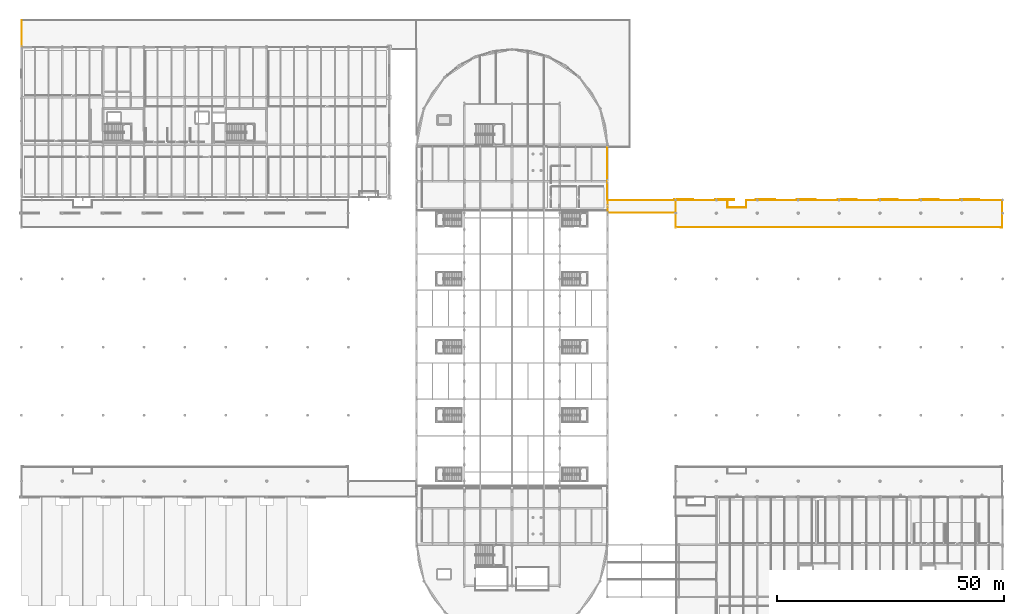
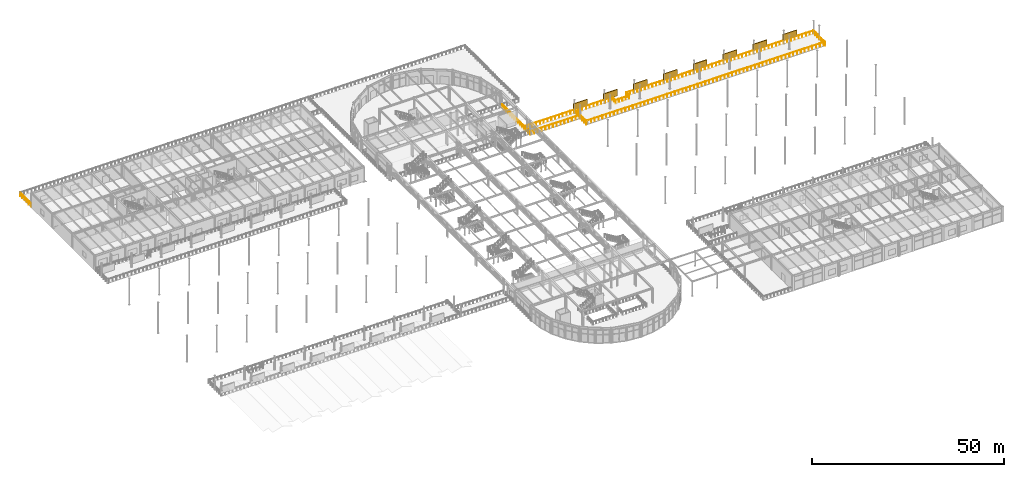
# One storey, part 139 of 143: 8 shading devices, 6 railings.
"""IFC4 building model written with IfcOpenShell, lengths in metres."""

from ifc_helpers import new_model, si_unit, direction, frame, origin, origin_2d, place, context, subcontext, project, spatial, rectangle, circle, extrude, material, type_object, element, save


model = new_model("IFC4")

# Units and contexts
model_context = context("Model", 3, precision=1e-05, world=origin(), true_north=direction((0.0, 1.0)))
body_context = subcontext(model_context, "Body", "Model", "MODEL_VIEW")
ifc_project = project(units=[si_unit("LENGTHUNIT", "METRE"), si_unit("AREAUNIT", "SQUARE_METRE"), si_unit("VOLUMEUNIT", "CUBIC_METRE"), si_unit("PLANEANGLEUNIT", "RADIAN"), si_unit("MASSUNIT", "GRAM", prefix="KILO")], contexts=[model_context])

# Site, building, storey
site_placement = place(None, origin())
site = spatial("IfcSite", under=ifc_project, at=site_placement, CompositionType="ELEMENT")
building_placement = place(site_placement, origin())
building = spatial("IfcBuilding", under=site, at=building_placement, Name="Marlcrest Central Station", CompositionType="ELEMENT")
storey_placement = place(building_placement, frame((0.0, 0.0, 4.800048828125)))
storey = spatial("IfcBuildingStorey", under=building, at=storey_placement, Name="L01", CompositionType="ELEMENT", Elevation=4.800048828125)

# Railings
ifc_material_1 = material(Name="Stainless steel and laminated glass concourse balustrade", Category="steel")
railing_type = type_object("IfcRailingType", Name="GR-02", PredefinedType="BALUSTRADE", material=ifc_material_1)
railing_1_placement = place(storey_placement, frame((144.39990234375, 92.39990234375, 0.0)))
element("IfcRailing", 1, at=railing_1_placement, inside=storey, type_object=railing_type, Name="grd-L01-0007", PredefinedType="BALUSTRADE", context=body_context, shape_type="SweptSolid", body=[
    extrude(circle(Radius=0.02392578125, at=origin_2d()), frame((0.0, 0.0, 1.09619140625), z_axis=(1.0, 0.0, 0.0), x_axis=(0.0, 1.0, 0.0)), (0.0, 0.0, 1.0), 71.2001953125),
    extrude(circle(Radius=0.02099609375, at=origin_2d()), origin(), (0.0, 0.0, 1.0), 1.072021484375),
    extrude(circle(Radius=0.02099609375, at=origin_2d()), frame((1.1484375, 0.0, 0.0)), (0.0, 0.0, 1.0), 1.072021484375),
    extrude(circle(Radius=0.02099609375, at=origin_2d()), frame((2.296875, 0.0, 0.0)), (0.0, 0.0, 1.0), 1.072021484375),
    extrude(circle(Radius=0.02099609375, at=origin_2d()), frame((3.445068359375, 0.0, 0.0)), (0.0, 0.0, 1.0), 1.072021484375),
    extrude(circle(Radius=0.02099609375, at=origin_2d()), frame((4.593505859375, 0.0, 0.0)), (0.0, 0.0, 1.0), 1.072021484375),
    extrude(circle(Radius=0.02099609375, at=origin_2d()), frame((5.741943359375, 0.0, 0.0)), (0.0, 0.0, 1.0), 1.072021484375),
    extrude(circle(Radius=0.02099609375, at=origin_2d()), frame((6.890380859375, 0.0, 0.0)), (0.0, 0.0, 1.0), 1.072021484375),
    extrude(circle(Radius=0.02099609375, at=origin_2d()), frame((8.038818359375, 0.0, 0.0)), (0.0, 0.0, 1.0), 1.072021484375),
    extrude(circle(Radius=0.02099609375, at=origin_2d()), frame((9.18701171875, 0.0, 0.0)), (0.0, 0.0, 1.0), 1.072021484375),
    extrude(circle(Radius=0.02099609375, at=origin_2d()), frame((10.33544921875, 0.0, 0.0)), (0.0, 0.0, 1.0), 1.072021484375),
    extrude(circle(Radius=0.02099609375, at=origin_2d()), frame((11.48388671875, 0.0, 0.0)), (0.0, 0.0, 1.0), 1.072021484375),
    extrude(circle(Radius=0.02099609375, at=origin_2d()), frame((12.63232421875, 0.0, 0.0)), (0.0, 0.0, 1.0), 1.072021484375),
    extrude(circle(Radius=0.02099609375, at=origin_2d()), frame((13.78076171875, 0.0, 0.0)), (0.0, 0.0, 1.0), 1.072021484375),
    extrude(circle(Radius=0.02099609375, at=origin_2d()), frame((14.928955078125, 0.0, 0.0)), (0.0, 0.0, 1.0), 1.072021484375),
    extrude(circle(Radius=0.02099609375, at=origin_2d()), frame((16.077392578125, 0.0, 0.0)), (0.0, 0.0, 1.0), 1.072021484375),
    extrude(circle(Radius=0.02099609375, at=origin_2d()), frame((17.225830078125, 0.0, 0.0)), (0.0, 0.0, 1.0), 1.072021484375),
    extrude(circle(Radius=0.02099609375, at=origin_2d()), frame((18.374267578125, 0.0, 0.0)), (0.0, 0.0, 1.0), 1.072021484375),
    extrude(circle(Radius=0.02099609375, at=origin_2d()), frame((19.522705078125, 0.0, 0.0)), (0.0, 0.0, 1.0), 1.072021484375),
    extrude(circle(Radius=0.02099609375, at=origin_2d()), frame((20.671142578125, 0.0, 0.0)), (0.0, 0.0, 1.0), 1.072021484375),
    extrude(circle(Radius=0.02099609375, at=origin_2d()), frame((21.8193359375, 0.0, 0.0)), (0.0, 0.0, 1.0), 1.072021484375),
    extrude(circle(Radius=0.02099609375, at=origin_2d()), frame((22.9677734375, 0.0, 0.0)), (0.0, 0.0, 1.0), 1.072021484375),
    extrude(circle(Radius=0.02099609375, at=origin_2d()), frame((24.1162109375, 0.0, 0.0)), (0.0, 0.0, 1.0), 1.072021484375),
    extrude(circle(Radius=0.02099609375, at=origin_2d()), frame((25.2646484375, 0.0, 0.0)), (0.0, 0.0, 1.0), 1.072021484375),
    extrude(circle(Radius=0.02099609375, at=origin_2d()), frame((26.4130859375, 0.0, 0.0)), (0.0, 0.0, 1.0), 1.072021484375),
    extrude(circle(Radius=0.02099609375, at=origin_2d()), frame((27.561279296875, 0.0, 0.0)), (0.0, 0.0, 1.0), 1.072021484375),
    extrude(circle(Radius=0.02099609375, at=origin_2d()), frame((28.709716796875, 0.0, 0.0)), (0.0, 0.0, 1.0), 1.072021484375),
    extrude(circle(Radius=0.02099609375, at=origin_2d()), frame((29.858154296875, 0.0, 0.0)), (0.0, 0.0, 1.0), 1.072021484375),
    extrude(circle(Radius=0.02099609375, at=origin_2d()), frame((31.006591796875, 0.0, 0.0)), (0.0, 0.0, 1.0), 1.072021484375),
    extrude(circle(Radius=0.02099609375, at=origin_2d()), frame((32.155029296875, 0.0, 0.0)), (0.0, 0.0, 1.0), 1.072021484375),
    extrude(circle(Radius=0.02099609375, at=origin_2d()), frame((33.30322265625, 0.0, 0.0)), (0.0, 0.0, 1.0), 1.072021484375),
    extrude(circle(Radius=0.02099609375, at=origin_2d()), frame((34.45166015625, 0.0, 0.0)), (0.0, 0.0, 1.0), 1.072021484375),
    extrude(circle(Radius=0.02099609375, at=origin_2d()), frame((35.60009765625, 0.0, 0.0)), (0.0, 0.0, 1.0), 1.072021484375),
    extrude(circle(Radius=0.02099609375, at=origin_2d()), frame((36.74853515625, 0.0, 0.0)), (0.0, 0.0, 1.0), 1.072021484375),
    extrude(circle(Radius=0.02099609375, at=origin_2d()), frame((37.89697265625, 0.0, 0.0)), (0.0, 0.0, 1.0), 1.072021484375),
    extrude(circle(Radius=0.02099609375, at=origin_2d()), frame((39.045166015625, 0.0, 0.0)), (0.0, 0.0, 1.0), 1.072021484375),
    extrude(circle(Radius=0.02099609375, at=origin_2d()), frame((40.193603515625, 0.0, 0.0)), (0.0, 0.0, 1.0), 1.072021484375),
    extrude(circle(Radius=0.02099609375, at=origin_2d()), frame((41.342041015625, 0.0, 0.0)), (0.0, 0.0, 1.0), 1.072021484375),
    extrude(circle(Radius=0.02099609375, at=origin_2d()), frame((42.490478515625, 0.0, 0.0)), (0.0, 0.0, 1.0), 1.072021484375),
    extrude(circle(Radius=0.02099609375, at=origin_2d()), frame((43.638916015625, 0.0, 0.0)), (0.0, 0.0, 1.0), 1.072021484375),
    extrude(circle(Radius=0.02099609375, at=origin_2d()), frame((44.787109375, 0.0, 0.0)), (0.0, 0.0, 1.0), 1.072021484375),
    extrude(circle(Radius=0.02099609375, at=origin_2d()), frame((45.935546875, 0.0, 0.0)), (0.0, 0.0, 1.0), 1.072021484375),
    extrude(circle(Radius=0.02099609375, at=origin_2d()), frame((47.083984375, 0.0, 0.0)), (0.0, 0.0, 1.0), 1.072021484375),
    extrude(circle(Radius=0.02099609375, at=origin_2d()), frame((48.232421875, 0.0, 0.0)), (0.0, 0.0, 1.0), 1.072021484375),
    extrude(circle(Radius=0.02099609375, at=origin_2d()), frame((49.380859375, 0.0, 0.0)), (0.0, 0.0, 1.0), 1.072021484375),
    extrude(circle(Radius=0.02099609375, at=origin_2d()), frame((50.529052734375, 0.0, 0.0)), (0.0, 0.0, 1.0), 1.072021484375),
    extrude(circle(Radius=0.02099609375, at=origin_2d()), frame((51.677490234375, 0.0, 0.0)), (0.0, 0.0, 1.0), 1.072021484375),
    extrude(circle(Radius=0.02099609375, at=origin_2d()), frame((52.825927734375, 0.0, 0.0)), (0.0, 0.0, 1.0), 1.072021484375),
    extrude(circle(Radius=0.02099609375, at=origin_2d()), frame((53.974365234375, 0.0, 0.0)), (0.0, 0.0, 1.0), 1.072021484375),
    extrude(circle(Radius=0.02099609375, at=origin_2d()), frame((55.122802734375, 0.0, 0.0)), (0.0, 0.0, 1.0), 1.072021484375),
    extrude(circle(Radius=0.02099609375, at=origin_2d()), frame((56.271240234375, 0.0, 0.0)), (0.0, 0.0, 1.0), 1.072021484375),
    extrude(circle(Radius=0.02099609375, at=origin_2d()), frame((57.41943359375, 0.0, 0.0)), (0.0, 0.0, 1.0), 1.072021484375),
    extrude(circle(Radius=0.02099609375, at=origin_2d()), frame((58.56787109375, 0.0, 0.0)), (0.0, 0.0, 1.0), 1.072021484375),
    extrude(circle(Radius=0.02099609375, at=origin_2d()), frame((59.71630859375, 0.0, 0.0)), (0.0, 0.0, 1.0), 1.072021484375),
    extrude(circle(Radius=0.02099609375, at=origin_2d()), frame((60.86474609375, 0.0, 0.0)), (0.0, 0.0, 1.0), 1.072021484375),
    extrude(circle(Radius=0.02099609375, at=origin_2d()), frame((62.01318359375, 0.0, 0.0)), (0.0, 0.0, 1.0), 1.072021484375),
    extrude(circle(Radius=0.02099609375, at=origin_2d()), frame((63.161376953125, 0.0, 0.0)), (0.0, 0.0, 1.0), 1.072021484375),
    extrude(circle(Radius=0.02099609375, at=origin_2d()), frame((64.309814453125, 0.0, 0.0)), (0.0, 0.0, 1.0), 1.072021484375),
    extrude(circle(Radius=0.02099609375, at=origin_2d()), frame((65.458251953125, 0.0, 0.0)), (0.0, 0.0, 1.0), 1.072021484375),
    extrude(circle(Radius=0.02099609375, at=origin_2d()), frame((66.606689453125, 0.0, 0.0)), (0.0, 0.0, 1.0), 1.072021484375),
    extrude(circle(Radius=0.02099609375, at=origin_2d()), frame((67.755126953125, 0.0, 0.0)), (0.0, 0.0, 1.0), 1.072021484375),
    extrude(circle(Radius=0.02099609375, at=origin_2d()), frame((68.9033203125, 0.0, 0.0)), (0.0, 0.0, 1.0), 1.072021484375),
    extrude(circle(Radius=0.02099609375, at=origin_2d()), frame((70.0517578125, 0.0, 0.0)), (0.0, 0.0, 1.0), 1.072021484375),
    extrude(circle(Radius=0.02099609375, at=origin_2d()), frame((71.2001953125, 0.0, 0.0)), (0.0, 0.0, 1.0), 1.072021484375),
])
railing_2_placement = place(storey_placement, frame((0.06005859375, 132.285888671875, 0.0)))
element("IfcRailing", 2, at=railing_2_placement, inside=storey, type_object=railing_type, Name="hr-L01-00366", PredefinedType="BALUSTRADE", context=body_context, shape_type="SweptSolid", body=[
    extrude(circle(Radius=0.02392578125, at=origin_2d()), frame((0.0, 0.0, 1.09619140625), z_axis=(0.0, 1.0, 0.0), x_axis=(-1.0, 0.0, 0.0)), (0.0, 0.0, 1.0), 5.654052734375),
    extrude(circle(Radius=0.02099609375, at=origin_2d()), origin(), (0.0, 0.0, 1.0), 1.072021484375),
    extrude(circle(Radius=0.02099609375, at=origin_2d()), frame((0.0, 1.130859375, 0.0)), (0.0, 0.0, 1.0), 1.072021484375),
    extrude(circle(Radius=0.02099609375, at=origin_2d()), frame((0.0, 2.26171875, 0.0)), (0.0, 0.0, 1.0), 1.072021484375),
    extrude(circle(Radius=0.02099609375, at=origin_2d()), frame((0.0, 3.392333984375, 0.0)), (0.0, 0.0, 1.0), 1.072021484375),
    extrude(circle(Radius=0.02099609375, at=origin_2d()), frame((0.0, 4.523193359375, 0.0)), (0.0, 0.0, 1.0), 1.072021484375),
    extrude(circle(Radius=0.02099609375, at=origin_2d()), frame((0.0, 5.654052734375, 0.0)), (0.0, 0.0, 1.0), 1.072021484375),
])
railing_3_placement = place(storey_placement, frame((144.06005859375, 92.260009765625, 0.0)))
element("IfcRailing", 3, at=railing_3_placement, inside=storey, type_object=railing_type, Name="hr-L01-00398", PredefinedType="BALUSTRADE", context=body_context, shape_type="SweptSolid", body=[
    extrude(circle(Radius=0.02392578125, at=origin_2d()), frame((0.0, 0.0, 1.09619140625), z_axis=(0.0, 1.0, 0.0), x_axis=(-1.0, 0.0, 0.0)), (0.0, 0.0, 1.0), 6.080078125),
    extrude(circle(Radius=0.02392578125, at=origin_2d()), frame((0.0, 6.080078125, 1.09619140625), z_axis=(1.0, 0.0, 0.0), x_axis=(0.0, 1.0, 0.0)), (0.0, 0.0, 1.0), 11.3798828125),
    extrude(circle(Radius=0.02392578125, at=origin_2d()), frame((11.3798828125, 6.080078125, 1.09619140625), z_axis=(0.0, -1.0, 0.0), x_axis=(1.0, 0.0, 0.0)), (0.0, 0.0, 1.0), 1.60009765625),
    extrude(circle(Radius=0.02392578125, at=origin_2d()), frame((11.3798828125, 4.47998046875, 1.09619140625), z_axis=(1.0, 0.0, 0.0), x_axis=(0.0, 1.0, 0.0)), (0.0, 0.0, 1.0), 4.1201171875),
    extrude(circle(Radius=0.02392578125, at=origin_2d()), frame((15.5, 4.47998046875, 1.09619140625), z_axis=(0.0, 1.0, 0.0), x_axis=(-1.0, 0.0, 0.0)), (0.0, 0.0, 1.0), 1.60009765625),
    extrude(circle(Radius=0.02392578125, at=origin_2d()), frame((15.5, 6.080078125, 1.09619140625), z_axis=(1.0, 0.0, 0.0), x_axis=(0.0, 1.0, 0.0)), (0.0, 0.0, 1.0), 56.3798828125),
    extrude(circle(Radius=0.02392578125, at=origin_2d()), frame((71.8798828125, 6.080078125, 1.09619140625), z_axis=(0.0, -1.0, 0.0), x_axis=(1.0, 0.0, 0.0)), (0.0, 0.0, 1.0), 6.080078125),
    extrude(circle(Radius=0.02392578125, at=origin_2d()), frame((71.8798828125, 0.0, 1.09619140625), z_axis=(-1.0, 0.0, 0.0), x_axis=(0.0, -1.0, 0.0)), (0.0, 0.0, 1.0), 0.33984375),
    extrude(circle(Radius=0.02099609375, at=origin_2d()), origin(), (0.0, 0.0, 1.0), 1.072021484375),
    extrude(circle(Radius=0.02099609375, at=origin_2d()), frame((0.0, 1.013427734375, 0.0)), (0.0, 0.0, 1.0), 1.072021484375),
    extrude(circle(Radius=0.02099609375, at=origin_2d()), frame((0.0, 2.026611328125, 0.0)), (0.0, 0.0, 1.0), 1.072021484375),
    extrude(circle(Radius=0.02099609375, at=origin_2d()), frame((0.0, 3.0400390625, 0.0)), (0.0, 0.0, 1.0), 1.072021484375),
    extrude(circle(Radius=0.02099609375, at=origin_2d()), frame((0.0, 4.053466796875, 0.0)), (0.0, 0.0, 1.0), 1.072021484375),
    extrude(circle(Radius=0.02099609375, at=origin_2d()), frame((0.0, 5.066650390625, 0.0)), (0.0, 0.0, 1.0), 1.072021484375),
    extrude(circle(Radius=0.02099609375, at=origin_2d()), frame((0.0, 6.080078125, 0.0)), (0.0, 0.0, 1.0), 1.072021484375),
    extrude(circle(Radius=0.02099609375, at=origin_2d()), frame((1.137939453125, 6.080078125, 0.0)), (0.0, 0.0, 1.0), 1.072021484375),
    extrude(circle(Radius=0.02099609375, at=origin_2d()), frame((2.27587890625, 6.080078125, 0.0)), (0.0, 0.0, 1.0), 1.072021484375),
    extrude(circle(Radius=0.02099609375, at=origin_2d()), frame((3.4140625, 6.080078125, 0.0)), (0.0, 0.0, 1.0), 1.072021484375),
    extrude(circle(Radius=0.02099609375, at=origin_2d()), frame((4.552001953125, 6.080078125, 0.0)), (0.0, 0.0, 1.0), 1.072021484375),
    extrude(circle(Radius=0.02099609375, at=origin_2d()), frame((5.68994140625, 6.080078125, 0.0)), (0.0, 0.0, 1.0), 1.072021484375),
    extrude(circle(Radius=0.02099609375, at=origin_2d()), frame((6.827880859375, 6.080078125, 0.0)), (0.0, 0.0, 1.0), 1.072021484375),
    extrude(circle(Radius=0.02099609375, at=origin_2d()), frame((7.9658203125, 6.080078125, 0.0)), (0.0, 0.0, 1.0), 1.072021484375),
    extrude(circle(Radius=0.02099609375, at=origin_2d()), frame((9.10400390625, 6.080078125, 0.0)), (0.0, 0.0, 1.0), 1.072021484375),
    extrude(circle(Radius=0.02099609375, at=origin_2d()), frame((10.241943359375, 6.080078125, 0.0)), (0.0, 0.0, 1.0), 1.072021484375),
    extrude(circle(Radius=0.02099609375, at=origin_2d()), frame((11.3798828125, 6.080078125, 0.0)), (0.0, 0.0, 1.0), 1.072021484375),
    extrude(circle(Radius=0.02099609375, at=origin_2d()), frame((11.3798828125, 5.280029296875, 0.0)), (0.0, 0.0, 1.0), 1.072021484375),
    extrude(circle(Radius=0.02099609375, at=origin_2d()), frame((11.3798828125, 4.47998046875, 0.0)), (0.0, 0.0, 1.0), 1.072021484375),
    extrude(circle(Radius=0.02099609375, at=origin_2d()), frame((12.409912109375, 4.47998046875, 0.0)), (0.0, 0.0, 1.0), 1.072021484375),
    extrude(circle(Radius=0.02099609375, at=origin_2d()), frame((13.43994140625, 4.47998046875, 0.0)), (0.0, 0.0, 1.0), 1.072021484375),
    extrude(circle(Radius=0.02099609375, at=origin_2d()), frame((14.469970703125, 4.47998046875, 0.0)), (0.0, 0.0, 1.0), 1.072021484375),
    extrude(circle(Radius=0.02099609375, at=origin_2d()), frame((15.5, 4.47998046875, 0.0)), (0.0, 0.0, 1.0), 1.072021484375),
    extrude(circle(Radius=0.02099609375, at=origin_2d()), frame((15.5, 5.280029296875, 0.0)), (0.0, 0.0, 1.0), 1.072021484375),
    extrude(circle(Radius=0.02099609375, at=origin_2d()), frame((15.5, 6.080078125, 0.0)), (0.0, 0.0, 1.0), 1.072021484375),
    extrude(circle(Radius=0.02099609375, at=origin_2d()), frame((16.627685546875, 6.080078125, 0.0)), (0.0, 0.0, 1.0), 1.072021484375),
    extrude(circle(Radius=0.02099609375, at=origin_2d()), frame((17.755126953125, 6.080078125, 0.0)), (0.0, 0.0, 1.0), 1.072021484375),
    extrude(circle(Radius=0.02099609375, at=origin_2d()), frame((18.8828125, 6.080078125, 0.0)), (0.0, 0.0, 1.0), 1.072021484375),
    extrude(circle(Radius=0.02099609375, at=origin_2d()), frame((20.010498046875, 6.080078125, 0.0)), (0.0, 0.0, 1.0), 1.072021484375),
    extrude(circle(Radius=0.02099609375, at=origin_2d()), frame((21.137939453125, 6.080078125, 0.0)), (0.0, 0.0, 1.0), 1.072021484375),
    extrude(circle(Radius=0.02099609375, at=origin_2d()), frame((22.265625, 6.080078125, 0.0)), (0.0, 0.0, 1.0), 1.072021484375),
    extrude(circle(Radius=0.02099609375, at=origin_2d()), frame((23.39306640625, 6.080078125, 0.0)), (0.0, 0.0, 1.0), 1.072021484375),
    extrude(circle(Radius=0.02099609375, at=origin_2d()), frame((24.520751953125, 6.080078125, 0.0)), (0.0, 0.0, 1.0), 1.072021484375),
    extrude(circle(Radius=0.02099609375, at=origin_2d()), frame((25.6484375, 6.080078125, 0.0)), (0.0, 0.0, 1.0), 1.072021484375),
    extrude(circle(Radius=0.02099609375, at=origin_2d()), frame((26.77587890625, 6.080078125, 0.0)), (0.0, 0.0, 1.0), 1.072021484375),
    extrude(circle(Radius=0.02099609375, at=origin_2d()), frame((27.903564453125, 6.080078125, 0.0)), (0.0, 0.0, 1.0), 1.072021484375),
    extrude(circle(Radius=0.02099609375, at=origin_2d()), frame((29.03125, 6.080078125, 0.0)), (0.0, 0.0, 1.0), 1.072021484375),
    extrude(circle(Radius=0.02099609375, at=origin_2d()), frame((30.15869140625, 6.080078125, 0.0)), (0.0, 0.0, 1.0), 1.072021484375),
    extrude(circle(Radius=0.02099609375, at=origin_2d()), frame((31.286376953125, 6.080078125, 0.0)), (0.0, 0.0, 1.0), 1.072021484375),
    extrude(circle(Radius=0.02099609375, at=origin_2d()), frame((32.4140625, 6.080078125, 0.0)), (0.0, 0.0, 1.0), 1.072021484375),
    extrude(circle(Radius=0.02099609375, at=origin_2d()), frame((33.54150390625, 6.080078125, 0.0)), (0.0, 0.0, 1.0), 1.072021484375),
    extrude(circle(Radius=0.02099609375, at=origin_2d()), frame((34.669189453125, 6.080078125, 0.0)), (0.0, 0.0, 1.0), 1.072021484375),
    extrude(circle(Radius=0.02099609375, at=origin_2d()), frame((35.796875, 6.080078125, 0.0)), (0.0, 0.0, 1.0), 1.072021484375),
    extrude(circle(Radius=0.02099609375, at=origin_2d()), frame((36.92431640625, 6.080078125, 0.0)), (0.0, 0.0, 1.0), 1.072021484375),
    extrude(circle(Radius=0.02099609375, at=origin_2d()), frame((38.052001953125, 6.080078125, 0.0)), (0.0, 0.0, 1.0), 1.072021484375),
    extrude(circle(Radius=0.02099609375, at=origin_2d()), frame((39.179443359375, 6.080078125, 0.0)), (0.0, 0.0, 1.0), 1.072021484375),
    extrude(circle(Radius=0.02099609375, at=origin_2d()), frame((40.30712890625, 6.080078125, 0.0)), (0.0, 0.0, 1.0), 1.072021484375),
    extrude(circle(Radius=0.02099609375, at=origin_2d()), frame((41.434814453125, 6.080078125, 0.0)), (0.0, 0.0, 1.0), 1.072021484375),
    extrude(circle(Radius=0.02099609375, at=origin_2d()), frame((42.562255859375, 6.080078125, 0.0)), (0.0, 0.0, 1.0), 1.072021484375),
    extrude(circle(Radius=0.02099609375, at=origin_2d()), frame((43.68994140625, 6.080078125, 0.0)), (0.0, 0.0, 1.0), 1.072021484375),
    extrude(circle(Radius=0.02099609375, at=origin_2d()), frame((44.817626953125, 6.080078125, 0.0)), (0.0, 0.0, 1.0), 1.072021484375),
    extrude(circle(Radius=0.02099609375, at=origin_2d()), frame((45.945068359375, 6.080078125, 0.0)), (0.0, 0.0, 1.0), 1.072021484375),
    extrude(circle(Radius=0.02099609375, at=origin_2d()), frame((47.07275390625, 6.080078125, 0.0)), (0.0, 0.0, 1.0), 1.072021484375),
    extrude(circle(Radius=0.02099609375, at=origin_2d()), frame((48.200439453125, 6.080078125, 0.0)), (0.0, 0.0, 1.0), 1.072021484375),
    extrude(circle(Radius=0.02099609375, at=origin_2d()), frame((49.327880859375, 6.080078125, 0.0)), (0.0, 0.0, 1.0), 1.072021484375),
    extrude(circle(Radius=0.02099609375, at=origin_2d()), frame((50.45556640625, 6.080078125, 0.0)), (0.0, 0.0, 1.0), 1.072021484375),
    extrude(circle(Radius=0.02099609375, at=origin_2d()), frame((51.5830078125, 6.080078125, 0.0)), (0.0, 0.0, 1.0), 1.072021484375),
    extrude(circle(Radius=0.02099609375, at=origin_2d()), frame((52.710693359375, 6.080078125, 0.0)), (0.0, 0.0, 1.0), 1.072021484375),
    extrude(circle(Radius=0.02099609375, at=origin_2d()), frame((53.83837890625, 6.080078125, 0.0)), (0.0, 0.0, 1.0), 1.072021484375),
    extrude(circle(Radius=0.02099609375, at=origin_2d()), frame((54.9658203125, 6.080078125, 0.0)), (0.0, 0.0, 1.0), 1.072021484375),
    extrude(circle(Radius=0.02099609375, at=origin_2d()), frame((56.093505859375, 6.080078125, 0.0)), (0.0, 0.0, 1.0), 1.072021484375),
    extrude(circle(Radius=0.02099609375, at=origin_2d()), frame((57.22119140625, 6.080078125, 0.0)), (0.0, 0.0, 1.0), 1.072021484375),
    extrude(circle(Radius=0.02099609375, at=origin_2d()), frame((58.3486328125, 6.080078125, 0.0)), (0.0, 0.0, 1.0), 1.072021484375),
    extrude(circle(Radius=0.02099609375, at=origin_2d()), frame((59.476318359375, 6.080078125, 0.0)), (0.0, 0.0, 1.0), 1.072021484375),
    extrude(circle(Radius=0.02099609375, at=origin_2d()), frame((60.60400390625, 6.080078125, 0.0)), (0.0, 0.0, 1.0), 1.072021484375),
    extrude(circle(Radius=0.02099609375, at=origin_2d()), frame((61.7314453125, 6.080078125, 0.0)), (0.0, 0.0, 1.0), 1.072021484375),
    extrude(circle(Radius=0.02099609375, at=origin_2d()), frame((62.859130859375, 6.080078125, 0.0)), (0.0, 0.0, 1.0), 1.072021484375),
    extrude(circle(Radius=0.02099609375, at=origin_2d()), frame((63.98681640625, 6.080078125, 0.0)), (0.0, 0.0, 1.0), 1.072021484375),
    extrude(circle(Radius=0.02099609375, at=origin_2d()), frame((65.1142578125, 6.080078125, 0.0)), (0.0, 0.0, 1.0), 1.072021484375),
    extrude(circle(Radius=0.02099609375, at=origin_2d()), frame((66.241943359375, 6.080078125, 0.0)), (0.0, 0.0, 1.0), 1.072021484375),
    extrude(circle(Radius=0.02099609375, at=origin_2d()), frame((67.369384765625, 6.080078125, 0.0)), (0.0, 0.0, 1.0), 1.072021484375),
    extrude(circle(Radius=0.02099609375, at=origin_2d()), frame((68.4970703125, 6.080078125, 0.0)), (0.0, 0.0, 1.0), 1.072021484375),
    extrude(circle(Radius=0.02099609375, at=origin_2d()), frame((69.624755859375, 6.080078125, 0.0)), (0.0, 0.0, 1.0), 1.072021484375),
    extrude(circle(Radius=0.02099609375, at=origin_2d()), frame((70.752197265625, 6.080078125, 0.0)), (0.0, 0.0, 1.0), 1.072021484375),
    extrude(circle(Radius=0.02099609375, at=origin_2d()), frame((71.8798828125, 6.080078125, 0.0)), (0.0, 0.0, 1.0), 1.072021484375),
    extrude(circle(Radius=0.02099609375, at=origin_2d()), frame((71.8798828125, 5.066650390625, 0.0)), (0.0, 0.0, 1.0), 1.072021484375),
    extrude(circle(Radius=0.02099609375, at=origin_2d()), frame((71.8798828125, 4.053466796875, 0.0)), (0.0, 0.0, 1.0), 1.072021484375),
    extrude(circle(Radius=0.02099609375, at=origin_2d()), frame((71.8798828125, 3.0400390625, 0.0)), (0.0, 0.0, 1.0), 1.072021484375),
    extrude(circle(Radius=0.02099609375, at=origin_2d()), frame((71.8798828125, 2.026611328125, 0.0)), (0.0, 0.0, 1.0), 1.072021484375),
    extrude(circle(Radius=0.02099609375, at=origin_2d()), frame((71.8798828125, 1.013427734375, 0.0)), (0.0, 0.0, 1.0), 1.072021484375),
    extrude(circle(Radius=0.02099609375, at=origin_2d()), frame((71.8798828125, 0.0, 0.0)), (0.0, 0.0, 1.0), 1.072021484375),
    extrude(circle(Radius=0.02099609375, at=origin_2d()), frame((71.5400390625, 0.0, 0.0)), (0.0, 0.0, 1.0), 1.072021484375),
])
railing_4_placement = place(storey_placement, frame((129.06005859375, 95.56005859375, 0.0)))
element("IfcRailing", 4, at=railing_4_placement, inside=storey, type_object=railing_type, Name="hr-L01-00402", PredefinedType="BALUSTRADE", context=body_context, shape_type="SweptSolid", body=[
    extrude(circle(Radius=0.02392578125, at=origin_2d()), frame((0.0, 0.0, 1.09619140625), z_axis=(0.0, 1.0, 0.0), x_axis=(-1.0, 0.0, 0.0)), (0.0, 0.0, 1.0), 2.780029296875),
    extrude(circle(Radius=0.02392578125, at=origin_2d()), frame((0.0, 2.780029296875, 1.09619140625), z_axis=(1.0, 0.0, 0.0), x_axis=(0.0, 1.0, 0.0)), (0.0, 0.0, 1.0), 14.85986328125),
    extrude(circle(Radius=0.02099609375, at=origin_2d()), origin(), (0.0, 0.0, 1.0), 1.072021484375),
    extrude(circle(Radius=0.02099609375, at=origin_2d()), frame((0.0, 0.9267578125, 0.0)), (0.0, 0.0, 1.0), 1.072021484375),
    extrude(circle(Radius=0.02099609375, at=origin_2d()), frame((0.0, 1.853271484375, 0.0)), (0.0, 0.0, 1.0), 1.072021484375),
    extrude(circle(Radius=0.02099609375, at=origin_2d()), frame((0.0, 2.780029296875, 0.0)), (0.0, 0.0, 1.0), 1.072021484375),
    extrude(circle(Radius=0.02099609375, at=origin_2d()), frame((1.14306640625, 2.780029296875, 0.0)), (0.0, 0.0, 1.0), 1.072021484375),
    extrude(circle(Radius=0.02099609375, at=origin_2d()), frame((2.2861328125, 2.780029296875, 0.0)), (0.0, 0.0, 1.0), 1.072021484375),
    extrude(circle(Radius=0.02099609375, at=origin_2d()), frame((3.42919921875, 2.780029296875, 0.0)), (0.0, 0.0, 1.0), 1.072021484375),
    extrude(circle(Radius=0.02099609375, at=origin_2d()), frame((4.572265625, 2.780029296875, 0.0)), (0.0, 0.0, 1.0), 1.072021484375),
    extrude(circle(Radius=0.02099609375, at=origin_2d()), frame((5.71533203125, 2.780029296875, 0.0)), (0.0, 0.0, 1.0), 1.072021484375),
    extrude(circle(Radius=0.02099609375, at=origin_2d()), frame((6.8583984375, 2.780029296875, 0.0)), (0.0, 0.0, 1.0), 1.072021484375),
    extrude(circle(Radius=0.02099609375, at=origin_2d()), frame((8.00146484375, 2.780029296875, 0.0)), (0.0, 0.0, 1.0), 1.072021484375),
    extrude(circle(Radius=0.02099609375, at=origin_2d()), frame((9.14453125, 2.780029296875, 0.0)), (0.0, 0.0, 1.0), 1.072021484375),
    extrude(circle(Radius=0.02099609375, at=origin_2d()), frame((10.28759765625, 2.780029296875, 0.0)), (0.0, 0.0, 1.0), 1.072021484375),
    extrude(circle(Radius=0.02099609375, at=origin_2d()), frame((11.4306640625, 2.780029296875, 0.0)), (0.0, 0.0, 1.0), 1.072021484375),
    extrude(circle(Radius=0.02099609375, at=origin_2d()), frame((12.57373046875, 2.780029296875, 0.0)), (0.0, 0.0, 1.0), 1.072021484375),
    extrude(circle(Radius=0.02099609375, at=origin_2d()), frame((13.716796875, 2.780029296875, 0.0)), (0.0, 0.0, 1.0), 1.072021484375),
    extrude(circle(Radius=0.02099609375, at=origin_2d()), frame((14.85986328125, 2.780029296875, 0.0)), (0.0, 0.0, 1.0), 1.072021484375),
])
railing_5_placement = place(storey_placement, frame((143.919921875, 95.56005859375, 0.0)))
element("IfcRailing", 5, at=railing_5_placement, inside=storey, type_object=railing_type, Name="hr-L01-00403", PredefinedType="BALUSTRADE", context=body_context, shape_type="SweptSolid", body=[
    extrude(circle(Radius=0.02392578125, at=origin_2d()), frame((0.0, 0.0, 1.09619140625), z_axis=(-1.0, 0.0, 0.0), x_axis=(0.0, -1.0, 0.0)), (0.0, 0.0, 1.0), 14.85986328125),
    extrude(circle(Radius=0.02099609375, at=origin_2d()), origin(), (0.0, 0.0, 1.0), 1.072021484375),
    extrude(circle(Radius=0.02099609375, at=origin_2d()), frame((-1.14306640625, 0.0, 0.0)), (0.0, 0.0, 1.0), 1.072021484375),
    extrude(circle(Radius=0.02099609375, at=origin_2d()), frame((-2.2861328125, 0.0, 0.0)), (0.0, 0.0, 1.0), 1.072021484375),
    extrude(circle(Radius=0.02099609375, at=origin_2d()), frame((-3.42919921875, 0.0, 0.0)), (0.0, 0.0, 1.0), 1.072021484375),
    extrude(circle(Radius=0.02099609375, at=origin_2d()), frame((-4.572265625, 0.0, 0.0)), (0.0, 0.0, 1.0), 1.072021484375),
    extrude(circle(Radius=0.02099609375, at=origin_2d()), frame((-5.71533203125, 0.0, 0.0)), (0.0, 0.0, 1.0), 1.072021484375),
    extrude(circle(Radius=0.02099609375, at=origin_2d()), frame((-6.8583984375, 0.0, 0.0)), (0.0, 0.0, 1.0), 1.072021484375),
    extrude(circle(Radius=0.02099609375, at=origin_2d()), frame((-8.00146484375, 0.0, 0.0)), (0.0, 0.0, 1.0), 1.072021484375),
    extrude(circle(Radius=0.02099609375, at=origin_2d()), frame((-9.14453125, 0.0, 0.0)), (0.0, 0.0, 1.0), 1.072021484375),
    extrude(circle(Radius=0.02099609375, at=origin_2d()), frame((-10.28759765625, 0.0, 0.0)), (0.0, 0.0, 1.0), 1.072021484375),
    extrude(circle(Radius=0.02099609375, at=origin_2d()), frame((-11.4306640625, 0.0, 0.0)), (0.0, 0.0, 1.0), 1.072021484375),
    extrude(circle(Radius=0.02099609375, at=origin_2d()), frame((-12.57373046875, 0.0, 0.0)), (0.0, 0.0, 1.0), 1.072021484375),
    extrude(circle(Radius=0.02099609375, at=origin_2d()), frame((-13.716796875, 0.0, 0.0)), (0.0, 0.0, 1.0), 1.072021484375),
    extrude(circle(Radius=0.02099609375, at=origin_2d()), frame((-14.85986328125, 0.0, 0.0)), (0.0, 0.0, 1.0), 1.072021484375),
])
railing_6_placement = place(storey_placement, frame((128.93994140625, 109.919921875, 0.0)))
element("IfcRailing", 6, at=railing_6_placement, inside=storey, type_object=railing_type, Name="hr-L01-00449", PredefinedType="BALUSTRADE", context=body_context, shape_type="SweptSolid", body=[
    extrude(circle(Radius=0.02392578125, at=origin_2d()), frame((0.0, 0.0, 1.09619140625), z_axis=(0.0, -1.0, 0.0), x_axis=(1.0, 0.0, 0.0)), (0.0, 0.0, 1.0), 11.5078125),
    extrude(circle(Radius=0.02099609375, at=origin_2d()), origin(), (0.0, 0.0, 1.0), 1.072021484375),
    extrude(circle(Radius=0.02099609375, at=origin_2d()), frame((0.0, -1.046142578125, 0.0)), (0.0, 0.0, 1.0), 1.072021484375),
    extrude(circle(Radius=0.02099609375, at=origin_2d()), frame((0.0, -2.09228515625, 0.0)), (0.0, 0.0, 1.0), 1.072021484375),
    extrude(circle(Radius=0.02099609375, at=origin_2d()), frame((0.0, -3.138427734375, 0.0)), (0.0, 0.0, 1.0), 1.072021484375),
    extrude(circle(Radius=0.02099609375, at=origin_2d()), frame((0.0, -4.1845703125, 0.0)), (0.0, 0.0, 1.0), 1.072021484375),
    extrude(circle(Radius=0.02099609375, at=origin_2d()), frame((0.0, -5.230712890625, 0.0)), (0.0, 0.0, 1.0), 1.072021484375),
    extrude(circle(Radius=0.02099609375, at=origin_2d()), frame((0.0, -6.277099609375, 0.0)), (0.0, 0.0, 1.0), 1.072021484375),
    extrude(circle(Radius=0.02099609375, at=origin_2d()), frame((0.0, -7.3232421875, 0.0)), (0.0, 0.0, 1.0), 1.072021484375),
    extrude(circle(Radius=0.02099609375, at=origin_2d()), frame((0.0, -8.369384765625, 0.0)), (0.0, 0.0, 1.0), 1.072021484375),
    extrude(circle(Radius=0.02099609375, at=origin_2d()), frame((0.0, -9.41552734375, 0.0)), (0.0, 0.0, 1.0), 1.072021484375),
    extrude(circle(Radius=0.02099609375, at=origin_2d()), frame((0.0, -10.461669921875, 0.0)), (0.0, 0.0, 1.0), 1.072021484375),
    extrude(circle(Radius=0.02099609375, at=origin_2d()), frame((0.0, -11.5078125, 0.0)), (0.0, 0.0, 1.0), 1.072021484375),
])

# Shading devices
ifc_material_2 = material(Name="Bronze-anodised aluminium storm louvre", Category="aluminium")
shading_device_type = type_object("IfcShadingDeviceType", Name="SD-JL2", PredefinedType="JALOUSIE", material=ifc_material_2)
for number, where, z_axis, x_axis, name in (
    (7, (145.800048828125, 98.39990234375, 0.949951171875), (0.0, 0.0, 1.0), (1.0, 0.0, 0.0), "shd-L01-0081"),
    (8, (154.800048828125, 98.39990234375, 0.949951171875), (0.0, 0.0, 1.0), (1.0, 0.0, 0.0), "shd-L01-0083"),
    (9, (163.800048828125, 98.39990234375, 0.949951171875), (0.0, 0.0, 1.0), (1.0, 0.0, 0.0), "shd-L01-0085"),
    (10, (172.800048828125, 98.39990234375, 0.949951171875), (0.0, 0.0, 1.0), (1.0, 0.0, 0.0), "shd-L01-0087"),
    (11, (181.800048828125, 98.39990234375, 0.949951171875), (0.0, 0.0, 1.0), (1.0, 0.0, 0.0), "shd-L01-0089"),
    (12, (190.800048828125, 98.39990234375, 0.949951171875), (0.0, 0.0, 1.0), (1.0, 0.0, 0.0), "shd-L01-0091"),
    (13, (199.800048828125, 98.39990234375, 0.949951171875), (0.0, 0.0, 1.0), (1.0, 0.0, 0.0), "shd-L01-0093"),
    (14, (208.800048828125, 98.39990234375, 0.949951171875), (0.0, 0.0, 1.0), (1.0, 0.0, 0.0), "shd-L01-0095"),
):
    element("IfcShadingDevice", number, at=place(storey_placement, frame(where, z_axis=z_axis, x_axis=x_axis)), inside=storey, type_object=shading_device_type, Name=name, PredefinedType="JALOUSIE", context=body_context, shape_type="SweptSolid", body=[
        extrude(rectangle(XDim=4.199951171875, YDim=0.219970703125, at=origin_2d()), origin(), (0.0, 0.0, 1.0), 2.10009765625),
    ])

save(model, "model.ifc")
